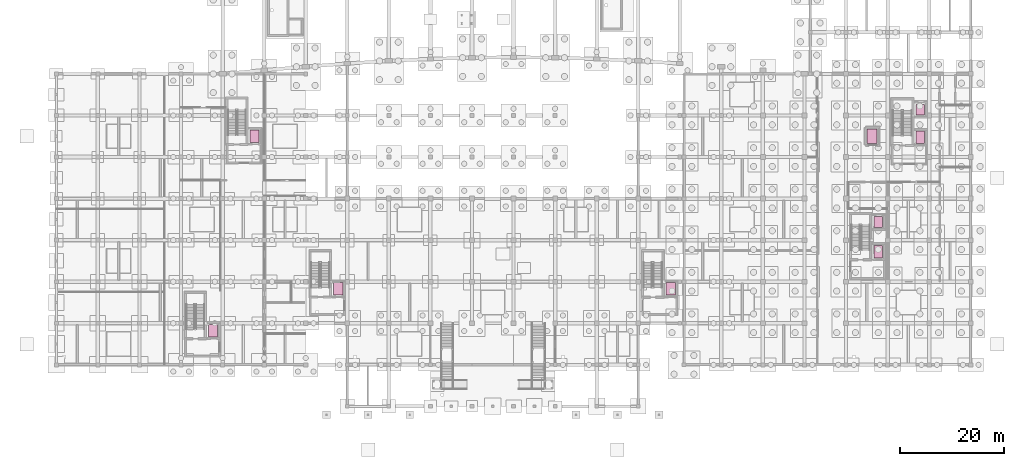
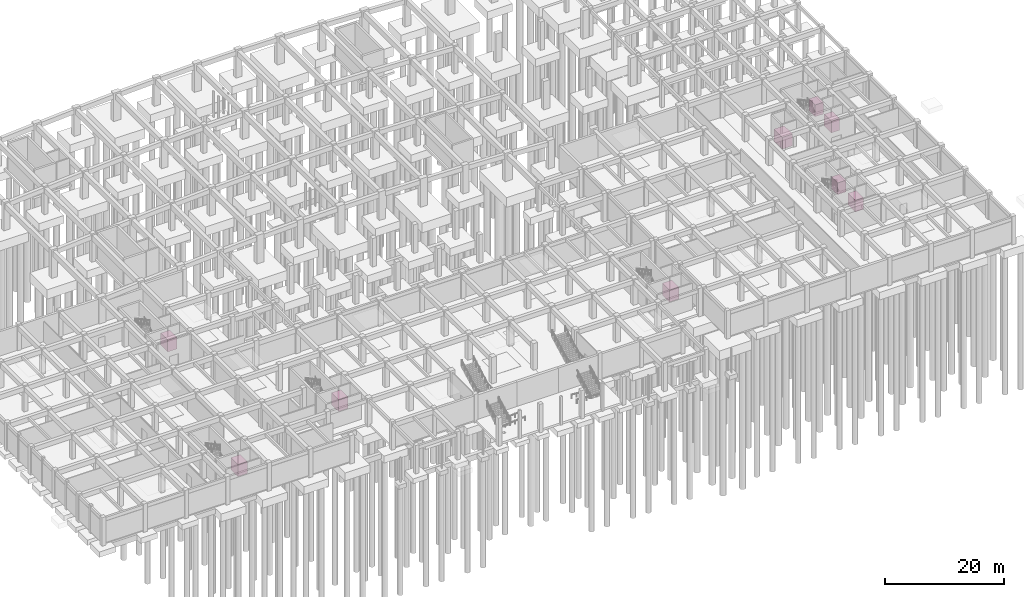
# One storey, part 45 of 45: 9 transport elements.
"""IFC4 building model written with IfcOpenShell, lengths in metres."""

from ifc_helpers import new_model, si_unit, direction, frame, origin, origin_2d, place, context, subcontext, project, spatial, rectangle, extrude, material, type_object, element, save


model = new_model("IFC4")

# Units and contexts
model_context = context("Model", 3, precision=1e-05, world=origin(), true_north=direction((0.0, 1.0)))
body_context = subcontext(model_context, "Body", "Model", "MODEL_VIEW")
ifc_project = project(units=[si_unit("LENGTHUNIT", "METRE"), si_unit("AREAUNIT", "SQUARE_METRE"), si_unit("VOLUMEUNIT", "CUBIC_METRE"), si_unit("PLANEANGLEUNIT", "RADIAN"), si_unit("MASSUNIT", "GRAM", prefix="KILO")], contexts=[model_context])

# Site, building, storey
site_placement = place(None, origin())
site = spatial("IfcSite", under=ifc_project, at=site_placement, CompositionType="ELEMENT")
building_placement = place(site_placement, origin())
building = spatial("IfcBuilding", under=site, at=building_placement, Name="Kenh Van Central Station", CompositionType="ELEMENT")
storey_placement = place(building_placement, frame((0.0, 0.0, -5.39990234375)))
storey = spatial("IfcBuildingStorey", under=building, at=storey_placement, Name="B1", CompositionType="ELEMENT", Elevation=-5.39990234375)

# Transport elements
ifc_material = material(Name="Champagne anodised aluminium", Category="aluminium")
transport_element_type_1 = type_object("IfcTransportElementType", Name="LFT-FIRE-1600x2400", PredefinedType="ELEVATOR", material=ifc_material)
for number, where, z_axis, x_axis, name in (
    (1, (158.199951171875, 29.800048828125, 0.0), (0.0, 0.0, 1.0), (1.0, 0.0, 0.0), "LIFT-FF1 Operations Firefighting Stretcher Lift 1"),
    (2, (166.300048828125, 51.800048828125, 0.0), (0.0, 0.0, 1.0), (1.0, 0.0, 0.0), "LIFT-FF2 Operations Firefighting Stretcher Lift 2"),
):
    element("IfcTransportElement", number, at=place(storey_placement, frame(where, z_axis=z_axis, x_axis=x_axis)), inside=storey, type_object=transport_element_type_1, Name=name, PredefinedType="ELEVATOR", context=body_context, shape_type="SweptSolid", body=[
        extrude(rectangle(XDim=1.60009765625, YDim=2.39990234375, at=origin_2d()), origin(), (0.0, 0.0, 1.0), 2.39990234375),
    ])
transport_element_type_2 = type_object("IfcTransportElementType", Name="LFT-GOOD-2000x2800", PredefinedType="ELEVATOR", material=ifc_material)
transport_element_placement = place(storey_placement, frame((157.0, 52.0, 0.0), z_axis=(0.0, 0.0, 1.0), x_axis=(1.0, 0.0, 0.0)))
element("IfcTransportElement", 3, at=transport_element_placement, inside=storey, type_object=transport_element_type_2, Name="LIFT-GD1 Station Heavy Parcel and Goods Lift", PredefinedType="ELEVATOR", context=body_context, shape_type="SweptSolid", body=[
    extrude(rectangle(XDim=2.0, YDim=2.800048828125, at=origin_2d()), origin(), (0.0, 0.0, 1.0), 2.39990234375),
])
transport_element_type_3 = type_object("IfcTransportElementType", Name="LFT-OPER-1600x2100", PredefinedType="ELEVATOR", material=ifc_material)
for number, where, z_axis, x_axis, name in (
    (4, (158.199951171875, 35.5, 0.0), (0.0, 0.0, 1.0), (1.0, 0.0, 0.0), "LIFT-OP1 Operations Staff Passenger Lift 1"),
    (5, (166.300048828125, 57.10009765625, 0.0), (0.0, 0.0, 1.0), (1.0, 0.0, 0.0), "LIFT-OP2 Operations Staff Passenger Lift 2"),
):
    element("IfcTransportElement", number, at=place(storey_placement, frame(where, z_axis=z_axis, x_axis=x_axis)), inside=storey, type_object=transport_element_type_3, Name=name, PredefinedType="ELEVATOR", context=body_context, shape_type="SweptSolid", body=[
        extrude(rectangle(XDim=1.60009765625, YDim=2.10009765625, at=origin_2d()), origin(), (0.0, 0.0, 1.0), 2.39990234375),
    ])
transport_element_type_4 = type_object("IfcTransportElementType", Name="LFT-PASS-1800x2400", PredefinedType="ELEVATOR", material=ifc_material)
for number, where, z_axis, x_axis, name in (
    (6, (30.14990234375, 14.60009765625, 0.0), (0.0, 0.0, 1.0), (1.0, 0.0, 0.0), "LIFT-P1 West Concourse Passenger Lift 1"),
    (7, (38.14990234375, 52.0, 0.0), (0.0, 0.0, 1.0), (1.0, 0.0, 0.0), "LIFT-P2 West Concourse Passenger Lift 2"),
    (8, (54.22509765625, 22.60009765625, 0.0), (0.0, 0.0, 1.0), (1.0, 0.0, 0.0), "LIFT-P3 Main Concourse Passenger Lift 3"),
    (9, (118.22509765625, 22.60009765625, 0.0), (0.0, 0.0, 1.0), (1.0, 0.0, 0.0), "LIFT-P4 Main Concourse Passenger Lift 4"),
):
    element("IfcTransportElement", number, at=place(storey_placement, frame(where, z_axis=z_axis, x_axis=x_axis)), inside=storey, type_object=transport_element_type_4, Name=name, PredefinedType="ELEVATOR", context=body_context, shape_type="SweptSolid", body=[
        extrude(rectangle(XDim=1.800048828125, YDim=2.39990234375, at=origin_2d()), origin(), (0.0, 0.0, 1.0), 2.39990234375),
    ])

save(model, "model.ifc")
